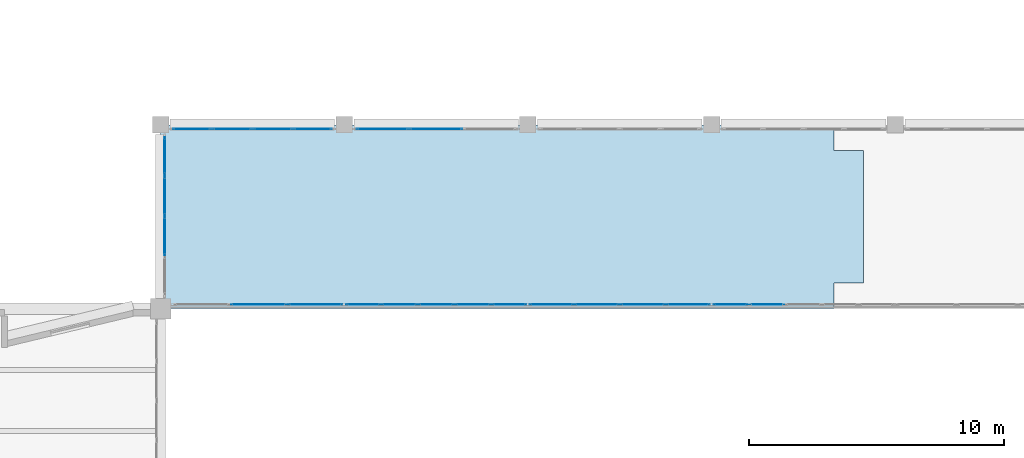
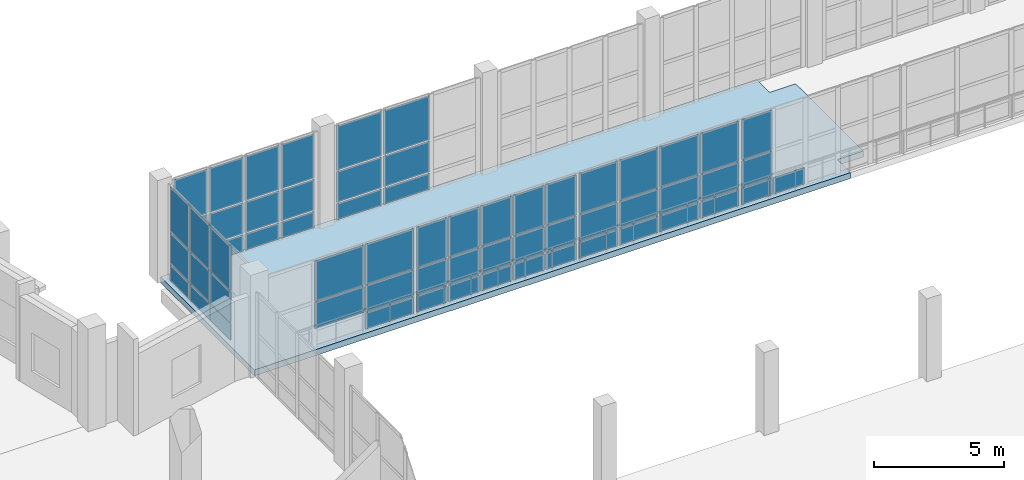
# One storey, part 78 of 127: 63 plates, 1 slab, 7 elements without a shape of their own.
"""IFC4 building model written with IfcOpenShell, lengths in metres."""

from ifc_helpers import new_model, si_unit, direction, frame, origin, origin_2d, place, context, subcontext, project, spatial, polyline, rectangle, outline, extrude, material, layer, layer_set, type_object, element, aggregate, save


model = new_model("IFC4")

# Units and contexts
model_context = context("Model", 3, precision=1e-05, world=origin(), true_north=direction((0.0, 1.0)))
body_context = subcontext(model_context, "Body", "Model", "MODEL_VIEW")
ifc_project = project(units=[si_unit("LENGTHUNIT", "METRE"), si_unit("AREAUNIT", "SQUARE_METRE"), si_unit("VOLUMEUNIT", "CUBIC_METRE"), si_unit("PLANEANGLEUNIT", "RADIAN"), si_unit("MASSUNIT", "GRAM", prefix="KILO")], contexts=[model_context])

# Site, building, storey
site_placement = place(None, origin())
site = spatial("IfcSite", under=ifc_project, at=site_placement, CompositionType="ELEMENT")
building_placement = place(site_placement, origin())
building = spatial("IfcBuilding", under=site, at=building_placement, Name="Kalmorath City Hall", CompositionType="ELEMENT")
storey_placement = place(building_placement, frame((0.0, 0.0, 5.39990234375)))
storey = spatial("IfcBuildingStorey", under=building, at=storey_placement, Name="L01", CompositionType="ELEMENT", Elevation=5.39990234375)

# Slab
ifc_material_1 = material(Name="Concrete C40/50", Category="concrete")
ifc_layer_1 = layer(ifc_material_1, 0.280029296875)
ifc_layer_set_1 = layer_set([ifc_layer_1], Name="Concrete C40/50")
slab_type = type_object("IfcSlabType", Name="Concrete composite floor slab 280", PredefinedType="FLOOR", material=ifc_layer_set_1)
slab_placement = place(storey_placement, frame((0.0, 0.0, -0.27978515625)))
element("IfcSlab", 1, at=slab_placement, inside=storey, type_object=slab_type, Name="L01 Public Hall and Citizens Service Centre Pavilion slab FS2-1", PredefinedType="FLOOR", context=body_context, shape_type="SweptSolid", body=[
    extrude(outline(polyline([(62.39990234375, 42.199951171875), (63.550048828125, 42.199951171875), (63.550048828125, 37.0), (62.39990234375, 37.0), (62.39990234375, 36.0), (36.0, 36.0), (36.0, 43.199951171875), (62.39990234375, 43.199951171875), (62.39990234375, 42.199951171875)])), origin(), (0.0, 0.0, 1.0), 0.27978515625),
])

# Curtain wall, plates
ifc_material_2 = material(Name="Anodised aluminium and laminated glass", Category="aluminium")
curtain_wall_type_1 = type_object("IfcCurtainWallType", Name="Unitised hurricane curtain wall 7200x4090 M1500", PredefinedType="NOTDEFINED", material=ifc_material_2)
curtain_wall_1_placement = place(storey_placement, origin())
curtain_wall_1 = element("IfcCurtainWall", 2, at=curtain_wall_1_placement, inside=storey, type_object=curtain_wall_type_1, Name="L01 curtain wall CW-72X41M15 #76", PredefinedType="NOTDEFINED")
ifc_material_3 = material(Name="Hurricane laminated low-E glass", Category="glass")
ifc_layer_2 = layer(ifc_material_3, 0.031982421875)
ifc_layer_set_2 = layer_set([ifc_layer_2], Name="Hurricane laminated low-E glass")
plate_type = type_object("IfcPlateType", Name="Hurricane impact double-glazed panel 32", PredefinedType="CURTAIN_PANEL", material=ifc_layer_set_2)
plate_1_placement = place(storey_placement, frame((59.760009765625, 36.159912109375, 0.065185546875), z_axis=(0.0, 0.0, 1.0), x_axis=(-1.0, 0.0, 0.0)))
plate_1 = element("IfcPlate", 3, at=plate_1_placement, type_object=plate_type, Name="CW-72X41M15 panel 4.1", PredefinedType="CURTAIN_PANEL", context=body_context, shape_type="SweptSolid", body=[
    extrude(rectangle(XDim=1.364990234375, YDim=0.031982421875, at=origin_2d()), origin(), (0.0, 0.0, 1.0), 0.75244140625),
])
plate_2_placement = place(storey_placement, frame((58.3388671875, 36.159912109375, 0.065185546875), z_axis=(0.0, 0.0, 1.0), x_axis=(-1.0, 0.0, 0.0)))
plate_2 = element("IfcPlate", 4, at=plate_2_placement, type_object=plate_type, Name="CW-72X41M15 panel 5.1", PredefinedType="CURTAIN_PANEL", context=body_context, shape_type="SweptSolid", body=[
    extrude(rectangle(XDim=1.327392578125, YDim=0.031982421875, at=origin_2d()), origin(), (0.0, 0.0, 1.0), 0.75244140625),
])
plate_3_placement = place(storey_placement, frame((58.3388671875, 36.159912109375, 0.882568359375), z_axis=(0.0, 0.0, 1.0), x_axis=(-1.0, 0.0, 0.0)))
plate_3 = element("IfcPlate", 5, at=plate_3_placement, type_object=plate_type, Name="CW-72X41M15 panel 5.2", PredefinedType="CURTAIN_PANEL", context=body_context, shape_type="SweptSolid", body=[
    extrude(rectangle(XDim=1.327392578125, YDim=0.031982421875, at=origin_2d()), origin(), (0.0, 0.0, 1.0), 1.2119140625),
])
plate_4_placement = place(storey_placement, frame((58.3388671875, 36.159912109375, 2.15966796875), z_axis=(0.0, 0.0, 1.0), x_axis=(-1.0, 0.0, 0.0)))
plate_4 = element("IfcPlate", 6, at=plate_4_placement, type_object=plate_type, Name="CW-72X41M15 panel 5.3", PredefinedType="CURTAIN_PANEL", context=body_context, shape_type="SweptSolid", body=[
    extrude(rectangle(XDim=1.327392578125, YDim=0.031982421875, at=origin_2d()), origin(), (0.0, 0.0, 1.0), 1.865478515625),
])
aggregate(curtain_wall_1, [plate_1, plate_2, plate_3, plate_4])

ifc_material_4 = material(Name="Anodised aluminium and laminated glass", Category="aluminium")
curtain_wall_type_2 = type_object("IfcCurtainWallType", Name="Unitised hurricane curtain wall 7200x4090 M1800", PredefinedType="NOTDEFINED", material=ifc_material_4)
curtain_wall_2_placement = place(storey_placement, origin())
curtain_wall_2 = element("IfcCurtainWall", 7, at=curtain_wall_2_placement, inside=storey, type_object=curtain_wall_type_2, Name="L01 curtain wall CW-72X41M18 #77", PredefinedType="NOTDEFINED")
plate_5_placement = place(storey_placement, frame((56.68115234375, 36.159912109375, 0.065185546875), z_axis=(0.0, 0.0, 1.0), x_axis=(-1.0, 0.0, 0.0)))
plate_5 = element("IfcPlate", 8, at=plate_5_placement, type_object=plate_type, Name="CW-72X41M18 panel 1.1", PredefinedType="CURTAIN_PANEL", context=body_context, shape_type="SweptSolid", body=[
    extrude(rectangle(XDim=1.6875, YDim=0.031982421875, at=origin_2d()), origin(), (0.0, 0.0, 1.0), 0.75244140625),
])
plate_6_placement = place(storey_placement, frame((56.68115234375, 36.159912109375, 0.882568359375), z_axis=(0.0, 0.0, 1.0), x_axis=(-1.0, 0.0, 0.0)))
plate_6 = element("IfcPlate", 9, at=plate_6_placement, type_object=plate_type, Name="CW-72X41M18 panel 1.2", PredefinedType="CURTAIN_PANEL", context=body_context, shape_type="SweptSolid", body=[
    extrude(rectangle(XDim=1.6875, YDim=0.031982421875, at=origin_2d()), origin(), (0.0, 0.0, 1.0), 1.2119140625),
])
plate_7_placement = place(storey_placement, frame((56.68115234375, 36.159912109375, 2.15966796875), z_axis=(0.0, 0.0, 1.0), x_axis=(-1.0, 0.0, 0.0)))
plate_7 = element("IfcPlate", 10, at=plate_7_placement, type_object=plate_type, Name="CW-72X41M18 panel 1.3", PredefinedType="CURTAIN_PANEL", context=body_context, shape_type="SweptSolid", body=[
    extrude(rectangle(XDim=1.6875, YDim=0.031982421875, at=origin_2d()), origin(), (0.0, 0.0, 1.0), 1.865478515625),
])
plate_8_placement = place(storey_placement, frame((54.89990234375, 36.159912109375, 0.065185546875), z_axis=(0.0, 0.0, 1.0), x_axis=(-1.0, 0.0, 0.0)))
plate_8 = element("IfcPlate", 11, at=plate_8_placement, type_object=plate_type, Name="CW-72X41M18 panel 2.1", PredefinedType="CURTAIN_PANEL", context=body_context, shape_type="SweptSolid", body=[
    extrude(rectangle(XDim=1.72509765625, YDim=0.031982421875, at=origin_2d()), origin(), (0.0, 0.0, 1.0), 0.75244140625),
])
plate_9_placement = place(storey_placement, frame((54.89990234375, 36.159912109375, 0.882568359375), z_axis=(0.0, 0.0, 1.0), x_axis=(-1.0, 0.0, 0.0)))
plate_9 = element("IfcPlate", 12, at=plate_9_placement, type_object=plate_type, Name="CW-72X41M18 panel 2.2", PredefinedType="CURTAIN_PANEL", context=body_context, shape_type="SweptSolid", body=[
    extrude(rectangle(XDim=1.72509765625, YDim=0.031982421875, at=origin_2d()), origin(), (0.0, 0.0, 1.0), 1.2119140625),
])
plate_10_placement = place(storey_placement, frame((54.89990234375, 36.159912109375, 2.15966796875), z_axis=(0.0, 0.0, 1.0), x_axis=(-1.0, 0.0, 0.0)))
plate_10 = element("IfcPlate", 13, at=plate_10_placement, type_object=plate_type, Name="CW-72X41M18 panel 2.3", PredefinedType="CURTAIN_PANEL", context=body_context, shape_type="SweptSolid", body=[
    extrude(rectangle(XDim=1.72509765625, YDim=0.031982421875, at=origin_2d()), origin(), (0.0, 0.0, 1.0), 1.865478515625),
])
plate_11_placement = place(storey_placement, frame((53.10009765625, 36.159912109375, 0.065185546875), z_axis=(0.0, 0.0, 1.0), x_axis=(-1.0, 0.0, 0.0)))
plate_11 = element("IfcPlate", 14, at=plate_11_placement, type_object=plate_type, Name="CW-72X41M18 panel 3.1", PredefinedType="CURTAIN_PANEL", context=body_context, shape_type="SweptSolid", body=[
    extrude(rectangle(XDim=1.72509765625, YDim=0.031982421875, at=origin_2d()), origin(), (0.0, 0.0, 1.0), 0.75244140625),
])
plate_12_placement = place(storey_placement, frame((53.10009765625, 36.159912109375, 0.882568359375), z_axis=(0.0, 0.0, 1.0), x_axis=(-1.0, 0.0, 0.0)))
plate_12 = element("IfcPlate", 15, at=plate_12_placement, type_object=plate_type, Name="CW-72X41M18 panel 3.2", PredefinedType="CURTAIN_PANEL", context=body_context, shape_type="SweptSolid", body=[
    extrude(rectangle(XDim=1.72509765625, YDim=0.031982421875, at=origin_2d()), origin(), (0.0, 0.0, 1.0), 1.2119140625),
])
plate_13_placement = place(storey_placement, frame((53.10009765625, 36.159912109375, 2.15966796875), z_axis=(0.0, 0.0, 1.0), x_axis=(-1.0, 0.0, 0.0)))
plate_13 = element("IfcPlate", 16, at=plate_13_placement, type_object=plate_type, Name="CW-72X41M18 panel 3.3", PredefinedType="CURTAIN_PANEL", context=body_context, shape_type="SweptSolid", body=[
    extrude(rectangle(XDim=1.72509765625, YDim=0.031982421875, at=origin_2d()), origin(), (0.0, 0.0, 1.0), 1.865478515625),
])
plate_14_placement = place(storey_placement, frame((51.31884765625, 36.159912109375, 0.065185546875), z_axis=(0.0, 0.0, 1.0), x_axis=(-1.0, 0.0, 0.0)))
plate_14 = element("IfcPlate", 17, at=plate_14_placement, type_object=plate_type, Name="CW-72X41M18 panel 4.1", PredefinedType="CURTAIN_PANEL", context=body_context, shape_type="SweptSolid", body=[
    extrude(rectangle(XDim=1.6875, YDim=0.031982421875, at=origin_2d()), origin(), (0.0, 0.0, 1.0), 0.75244140625),
])
plate_15_placement = place(storey_placement, frame((51.31884765625, 36.159912109375, 0.882568359375), z_axis=(0.0, 0.0, 1.0), x_axis=(-1.0, 0.0, 0.0)))
plate_15 = element("IfcPlate", 18, at=plate_15_placement, type_object=plate_type, Name="CW-72X41M18 panel 4.2", PredefinedType="CURTAIN_PANEL", context=body_context, shape_type="SweptSolid", body=[
    extrude(rectangle(XDim=1.6875, YDim=0.031982421875, at=origin_2d()), origin(), (0.0, 0.0, 1.0), 1.2119140625),
])
plate_16_placement = place(storey_placement, frame((51.31884765625, 36.159912109375, 2.15966796875), z_axis=(0.0, 0.0, 1.0), x_axis=(-1.0, 0.0, 0.0)))
plate_16 = element("IfcPlate", 19, at=plate_16_placement, type_object=plate_type, Name="CW-72X41M18 panel 4.3", PredefinedType="CURTAIN_PANEL", context=body_context, shape_type="SweptSolid", body=[
    extrude(rectangle(XDim=1.6875, YDim=0.031982421875, at=origin_2d()), origin(), (0.0, 0.0, 1.0), 1.865478515625),
])
aggregate(curtain_wall_2, [plate_5, plate_6, plate_7, plate_8, plate_9, plate_10, plate_11, plate_12, plate_13, plate_14, plate_15, plate_16])

curtain_wall_3_placement = place(storey_placement, origin())
curtain_wall_3 = element("IfcCurtainWall", 20, at=curtain_wall_3_placement, inside=storey, type_object=curtain_wall_type_1, Name="L01 curtain wall CW-72X41M15 #78", PredefinedType="NOTDEFINED")
plate_17_placement = place(storey_placement, frame((49.6611328125, 36.159912109375, 0.065185546875), z_axis=(0.0, 0.0, 1.0), x_axis=(-1.0, 0.0, 0.0)))
plate_17 = element("IfcPlate", 21, at=plate_17_placement, type_object=plate_type, Name="CW-72X41M15 panel 1.1", PredefinedType="CURTAIN_PANEL", context=body_context, shape_type="SweptSolid", body=[
    extrude(rectangle(XDim=1.327392578125, YDim=0.031982421875, at=origin_2d()), origin(), (0.0, 0.0, 1.0), 0.75244140625),
])
plate_18_placement = place(storey_placement, frame((49.6611328125, 36.159912109375, 0.882568359375), z_axis=(0.0, 0.0, 1.0), x_axis=(-1.0, 0.0, 0.0)))
plate_18 = element("IfcPlate", 22, at=plate_18_placement, type_object=plate_type, Name="CW-72X41M15 panel 1.2", PredefinedType="CURTAIN_PANEL", context=body_context, shape_type="SweptSolid", body=[
    extrude(rectangle(XDim=1.327392578125, YDim=0.031982421875, at=origin_2d()), origin(), (0.0, 0.0, 1.0), 1.2119140625),
])
plate_19_placement = place(storey_placement, frame((49.6611328125, 36.159912109375, 2.15966796875), z_axis=(0.0, 0.0, 1.0), x_axis=(-1.0, 0.0, 0.0)))
plate_19 = element("IfcPlate", 23, at=plate_19_placement, type_object=plate_type, Name="CW-72X41M15 panel 1.3", PredefinedType="CURTAIN_PANEL", context=body_context, shape_type="SweptSolid", body=[
    extrude(rectangle(XDim=1.327392578125, YDim=0.031982421875, at=origin_2d()), origin(), (0.0, 0.0, 1.0), 1.865478515625),
])
plate_20_placement = place(storey_placement, frame((48.239990234375, 36.159912109375, 0.065185546875), z_axis=(0.0, 0.0, 1.0), x_axis=(-1.0, 0.0, 0.0)))
plate_20 = element("IfcPlate", 24, at=plate_20_placement, type_object=plate_type, Name="CW-72X41M15 panel 2.1", PredefinedType="CURTAIN_PANEL", context=body_context, shape_type="SweptSolid", body=[
    extrude(rectangle(XDim=1.364990234375, YDim=0.031982421875, at=origin_2d()), origin(), (0.0, 0.0, 1.0), 0.75244140625),
])
plate_21_placement = place(storey_placement, frame((48.239990234375, 36.159912109375, 0.882568359375), z_axis=(0.0, 0.0, 1.0), x_axis=(-1.0, 0.0, 0.0)))
plate_21 = element("IfcPlate", 25, at=plate_21_placement, type_object=plate_type, Name="CW-72X41M15 panel 2.2", PredefinedType="CURTAIN_PANEL", context=body_context, shape_type="SweptSolid", body=[
    extrude(rectangle(XDim=1.364990234375, YDim=0.031982421875, at=origin_2d()), origin(), (0.0, 0.0, 1.0), 1.2119140625),
])
plate_22_placement = place(storey_placement, frame((48.239990234375, 36.159912109375, 2.15966796875), z_axis=(0.0, 0.0, 1.0), x_axis=(-1.0, 0.0, 0.0)))
plate_22 = element("IfcPlate", 26, at=plate_22_placement, type_object=plate_type, Name="CW-72X41M15 panel 2.3", PredefinedType="CURTAIN_PANEL", context=body_context, shape_type="SweptSolid", body=[
    extrude(rectangle(XDim=1.364990234375, YDim=0.031982421875, at=origin_2d()), origin(), (0.0, 0.0, 1.0), 1.865478515625),
])
plate_23_placement = place(storey_placement, frame((46.800048828125, 36.159912109375, 0.065185546875), z_axis=(0.0, 0.0, 1.0), x_axis=(-1.0, 0.0, 0.0)))
plate_23 = element("IfcPlate", 27, at=plate_23_placement, type_object=plate_type, Name="CW-72X41M15 panel 3.1", PredefinedType="CURTAIN_PANEL", context=body_context, shape_type="SweptSolid", body=[
    extrude(rectangle(XDim=1.364990234375, YDim=0.031982421875, at=origin_2d()), origin(), (0.0, 0.0, 1.0), 0.75244140625),
])
plate_24_placement = place(storey_placement, frame((46.800048828125, 36.159912109375, 0.882568359375), z_axis=(0.0, 0.0, 1.0), x_axis=(-1.0, 0.0, 0.0)))
plate_24 = element("IfcPlate", 28, at=plate_24_placement, type_object=plate_type, Name="CW-72X41M15 panel 3.2", PredefinedType="CURTAIN_PANEL", context=body_context, shape_type="SweptSolid", body=[
    extrude(rectangle(XDim=1.364990234375, YDim=0.031982421875, at=origin_2d()), origin(), (0.0, 0.0, 1.0), 1.2119140625),
])
plate_25_placement = place(storey_placement, frame((46.800048828125, 36.159912109375, 2.15966796875), z_axis=(0.0, 0.0, 1.0), x_axis=(-1.0, 0.0, 0.0)))
plate_25 = element("IfcPlate", 29, at=plate_25_placement, type_object=plate_type, Name="CW-72X41M15 panel 3.3", PredefinedType="CURTAIN_PANEL", context=body_context, shape_type="SweptSolid", body=[
    extrude(rectangle(XDim=1.364990234375, YDim=0.031982421875, at=origin_2d()), origin(), (0.0, 0.0, 1.0), 1.865478515625),
])
plate_26_placement = place(storey_placement, frame((45.360107421875, 36.159912109375, 0.065185546875), z_axis=(0.0, 0.0, 1.0), x_axis=(-1.0, 0.0, 0.0)))
plate_26 = element("IfcPlate", 30, at=plate_26_placement, type_object=plate_type, Name="CW-72X41M15 panel 4.1", PredefinedType="CURTAIN_PANEL", context=body_context, shape_type="SweptSolid", body=[
    extrude(rectangle(XDim=1.364990234375, YDim=0.031982421875, at=origin_2d()), origin(), (0.0, 0.0, 1.0), 0.75244140625),
])
plate_27_placement = place(storey_placement, frame((45.360107421875, 36.159912109375, 0.882568359375), z_axis=(0.0, 0.0, 1.0), x_axis=(-1.0, 0.0, 0.0)))
plate_27 = element("IfcPlate", 31, at=plate_27_placement, type_object=plate_type, Name="CW-72X41M15 panel 4.2", PredefinedType="CURTAIN_PANEL", context=body_context, shape_type="SweptSolid", body=[
    extrude(rectangle(XDim=1.364990234375, YDim=0.031982421875, at=origin_2d()), origin(), (0.0, 0.0, 1.0), 1.2119140625),
])
plate_28_placement = place(storey_placement, frame((45.360107421875, 36.159912109375, 2.15966796875), z_axis=(0.0, 0.0, 1.0), x_axis=(-1.0, 0.0, 0.0)))
plate_28 = element("IfcPlate", 32, at=plate_28_placement, type_object=plate_type, Name="CW-72X41M15 panel 4.3", PredefinedType="CURTAIN_PANEL", context=body_context, shape_type="SweptSolid", body=[
    extrude(rectangle(XDim=1.364990234375, YDim=0.031982421875, at=origin_2d()), origin(), (0.0, 0.0, 1.0), 1.865478515625),
])
plate_29_placement = place(storey_placement, frame((43.938720703125, 36.159912109375, 0.065185546875), z_axis=(0.0, 0.0, 1.0), x_axis=(-1.0, 0.0, 0.0)))
plate_29 = element("IfcPlate", 33, at=plate_29_placement, type_object=plate_type, Name="CW-72X41M15 panel 5.1", PredefinedType="CURTAIN_PANEL", context=body_context, shape_type="SweptSolid", body=[
    extrude(rectangle(XDim=1.327392578125, YDim=0.031982421875, at=origin_2d()), origin(), (0.0, 0.0, 1.0), 0.75244140625),
])
plate_30_placement = place(storey_placement, frame((43.938720703125, 36.159912109375, 0.882568359375), z_axis=(0.0, 0.0, 1.0), x_axis=(-1.0, 0.0, 0.0)))
plate_30 = element("IfcPlate", 34, at=plate_30_placement, type_object=plate_type, Name="CW-72X41M15 panel 5.2", PredefinedType="CURTAIN_PANEL", context=body_context, shape_type="SweptSolid", body=[
    extrude(rectangle(XDim=1.327392578125, YDim=0.031982421875, at=origin_2d()), origin(), (0.0, 0.0, 1.0), 1.2119140625),
])
plate_31_placement = place(storey_placement, frame((43.938720703125, 36.159912109375, 2.15966796875), z_axis=(0.0, 0.0, 1.0), x_axis=(-1.0, 0.0, 0.0)))
plate_31 = element("IfcPlate", 35, at=plate_31_placement, type_object=plate_type, Name="CW-72X41M15 panel 5.3", PredefinedType="CURTAIN_PANEL", context=body_context, shape_type="SweptSolid", body=[
    extrude(rectangle(XDim=1.327392578125, YDim=0.031982421875, at=origin_2d()), origin(), (0.0, 0.0, 1.0), 1.865478515625),
])
aggregate(curtain_wall_3, [plate_17, plate_18, plate_19, plate_20, plate_21, plate_22, plate_23, plate_24, plate_25, plate_26, plate_27, plate_28, plate_29, plate_30, plate_31])

ifc_material_5 = material(Name="Anodised aluminium and laminated glass", Category="aluminium")
curtain_wall_type_3 = type_object("IfcCurtainWallType", Name="Unitised hurricane curtain wall 6710x4090 M2100", PredefinedType="NOTDEFINED", material=ifc_material_5)
curtain_wall_4_placement = place(storey_placement, origin())
curtain_wall_4 = element("IfcCurtainWall", 36, at=curtain_wall_4_placement, inside=storey, type_object=curtain_wall_type_3, Name="L01 curtain wall CW-67X41M21 #79", PredefinedType="NOTDEFINED")
plate_32_placement = place(storey_placement, frame((42.06298828125, 36.159912109375, 0.065185546875), z_axis=(0.0, 0.0, 1.0), x_axis=(-1.0, 0.0, 0.0)))
plate_32 = element("IfcPlate", 37, at=plate_32_placement, type_object=plate_type, Name="CW-67X41M21 panel 1.1", PredefinedType="CURTAIN_PANEL", context=body_context, shape_type="SweptSolid", body=[
    extrude(rectangle(XDim=2.124267578125, YDim=0.031982421875, at=origin_2d()), origin(), (0.0, 0.0, 1.0), 0.75244140625),
])
plate_33_placement = place(storey_placement, frame((42.06298828125, 36.159912109375, 0.882568359375), z_axis=(0.0, 0.0, 1.0), x_axis=(-1.0, 0.0, 0.0)))
plate_33 = element("IfcPlate", 38, at=plate_33_placement, type_object=plate_type, Name="CW-67X41M21 panel 1.2", PredefinedType="CURTAIN_PANEL", context=body_context, shape_type="SweptSolid", body=[
    extrude(rectangle(XDim=2.124267578125, YDim=0.031982421875, at=origin_2d()), origin(), (0.0, 0.0, 1.0), 1.2119140625),
])
plate_34_placement = place(storey_placement, frame((42.06298828125, 36.159912109375, 2.15966796875), z_axis=(0.0, 0.0, 1.0), x_axis=(-1.0, 0.0, 0.0)))
plate_34 = element("IfcPlate", 39, at=plate_34_placement, type_object=plate_type, Name="CW-67X41M21 panel 1.3", PredefinedType="CURTAIN_PANEL", context=body_context, shape_type="SweptSolid", body=[
    extrude(rectangle(XDim=2.124267578125, YDim=0.031982421875, at=origin_2d()), origin(), (0.0, 0.0, 1.0), 1.865478515625),
])
plate_35_placement = place(storey_placement, frame((39.844970703125, 36.159912109375, 0.882568359375), z_axis=(0.0, 0.0, 1.0), x_axis=(-1.0, 0.0, 0.0)))
plate_35 = element("IfcPlate", 40, at=plate_35_placement, type_object=plate_type, Name="CW-67X41M21 panel 2.2", PredefinedType="CURTAIN_PANEL", context=body_context, shape_type="SweptSolid", body=[
    extrude(rectangle(XDim=2.16162109375, YDim=0.031982421875, at=origin_2d()), origin(), (0.0, 0.0, 1.0), 1.2119140625),
])
plate_36_placement = place(storey_placement, frame((39.844970703125, 36.159912109375, 2.15966796875), z_axis=(0.0, 0.0, 1.0), x_axis=(-1.0, 0.0, 0.0)))
plate_36 = element("IfcPlate", 41, at=plate_36_placement, type_object=plate_type, Name="CW-67X41M21 panel 2.3", PredefinedType="CURTAIN_PANEL", context=body_context, shape_type="SweptSolid", body=[
    extrude(rectangle(XDim=2.16162109375, YDim=0.031982421875, at=origin_2d()), origin(), (0.0, 0.0, 1.0), 1.865478515625),
])
aggregate(curtain_wall_4, [plate_32, plate_33, plate_34, plate_35, plate_36])

ifc_material_6 = material(Name="Anodised aluminium and laminated glass", Category="aluminium")
curtain_wall_type_4 = type_object("IfcCurtainWallType", Name="Unitised hurricane curtain wall 6370x4520 M1500", PredefinedType="NOTDEFINED", material=ifc_material_6)
curtain_wall_5_placement = place(storey_placement, origin())
curtain_wall_5 = element("IfcCurtainWall", 42, at=curtain_wall_5_placement, inside=storey, type_object=curtain_wall_type_4, Name="L01 curtain wall CW-64X45M15 #82", PredefinedType="NOTDEFINED")
plate_37_placement = place(storey_placement, frame((37.22998046875, 43.0400390625, 0.065185546875), z_axis=(0.0, 0.0, 1.0), x_axis=(1.0, 0.0, 0.0)))
plate_37 = element("IfcPlate", 43, at=plate_37_placement, type_object=plate_type, Name="CW-64X45M15 panel 1.1", PredefinedType="CURTAIN_PANEL", context=body_context, shape_type="SweptSolid", body=[
    extrude(rectangle(XDim=1.47998046875, YDim=0.031982421875, at=origin_2d()), origin(), (0.0, 0.0, 1.0), 0.75244140625),
])
plate_38_placement = place(storey_placement, frame((37.22998046875, 43.0400390625, 0.882568359375), z_axis=(0.0, 0.0, 1.0), x_axis=(1.0, 0.0, 0.0)))
plate_38 = element("IfcPlate", 44, at=plate_38_placement, type_object=plate_type, Name="CW-64X45M15 panel 1.2", PredefinedType="CURTAIN_PANEL", context=body_context, shape_type="SweptSolid", body=[
    extrude(rectangle(XDim=1.47998046875, YDim=0.031982421875, at=origin_2d()), origin(), (0.0, 0.0, 1.0), 1.43505859375),
])
plate_39_placement = place(storey_placement, frame((37.22998046875, 43.0400390625, 2.3828125), z_axis=(0.0, 0.0, 1.0), x_axis=(1.0, 0.0, 0.0)))
plate_39 = element("IfcPlate", 45, at=plate_39_placement, type_object=plate_type, Name="CW-64X45M15 panel 1.3", PredefinedType="CURTAIN_PANEL", context=body_context, shape_type="SweptSolid", body=[
    extrude(rectangle(XDim=1.47998046875, YDim=0.031982421875, at=origin_2d()), origin(), (0.0, 0.0, 1.0), 2.072509765625),
])
plate_40_placement = place(storey_placement, frame((38.8037109375, 43.0400390625, 0.065185546875), z_axis=(0.0, 0.0, 1.0), x_axis=(1.0, 0.0, 0.0)))
plate_40 = element("IfcPlate", 46, at=plate_40_placement, type_object=plate_type, Name="CW-64X45M15 panel 2.1", PredefinedType="CURTAIN_PANEL", context=body_context, shape_type="SweptSolid", body=[
    extrude(rectangle(XDim=1.517578125, YDim=0.031982421875, at=origin_2d()), origin(), (0.0, 0.0, 1.0), 0.75244140625),
])
plate_41_placement = place(storey_placement, frame((38.8037109375, 43.0400390625, 0.882568359375), z_axis=(0.0, 0.0, 1.0), x_axis=(1.0, 0.0, 0.0)))
plate_41 = element("IfcPlate", 47, at=plate_41_placement, type_object=plate_type, Name="CW-64X45M15 panel 2.2", PredefinedType="CURTAIN_PANEL", context=body_context, shape_type="SweptSolid", body=[
    extrude(rectangle(XDim=1.517578125, YDim=0.031982421875, at=origin_2d()), origin(), (0.0, 0.0, 1.0), 1.43505859375),
])
plate_42_placement = place(storey_placement, frame((38.8037109375, 43.0400390625, 2.3828125), z_axis=(0.0, 0.0, 1.0), x_axis=(1.0, 0.0, 0.0)))
plate_42 = element("IfcPlate", 48, at=plate_42_placement, type_object=plate_type, Name="CW-64X45M15 panel 2.3", PredefinedType="CURTAIN_PANEL", context=body_context, shape_type="SweptSolid", body=[
    extrude(rectangle(XDim=1.517578125, YDim=0.031982421875, at=origin_2d()), origin(), (0.0, 0.0, 1.0), 2.072509765625),
])
plate_43_placement = place(storey_placement, frame((40.396240234375, 43.0400390625, 0.065185546875), z_axis=(0.0, 0.0, 1.0), x_axis=(1.0, 0.0, 0.0)))
plate_43 = element("IfcPlate", 49, at=plate_43_placement, type_object=plate_type, Name="CW-64X45M15 panel 3.1", PredefinedType="CURTAIN_PANEL", context=body_context, shape_type="SweptSolid", body=[
    extrude(rectangle(XDim=1.517578125, YDim=0.031982421875, at=origin_2d()), origin(), (0.0, 0.0, 1.0), 0.75244140625),
])
plate_44_placement = place(storey_placement, frame((40.396240234375, 43.0400390625, 0.882568359375), z_axis=(0.0, 0.0, 1.0), x_axis=(1.0, 0.0, 0.0)))
plate_44 = element("IfcPlate", 50, at=plate_44_placement, type_object=plate_type, Name="CW-64X45M15 panel 3.2", PredefinedType="CURTAIN_PANEL", context=body_context, shape_type="SweptSolid", body=[
    extrude(rectangle(XDim=1.517578125, YDim=0.031982421875, at=origin_2d()), origin(), (0.0, 0.0, 1.0), 1.43505859375),
])
plate_45_placement = place(storey_placement, frame((40.396240234375, 43.0400390625, 2.3828125), z_axis=(0.0, 0.0, 1.0), x_axis=(1.0, 0.0, 0.0)))
plate_45 = element("IfcPlate", 51, at=plate_45_placement, type_object=plate_type, Name="CW-64X45M15 panel 3.3", PredefinedType="CURTAIN_PANEL", context=body_context, shape_type="SweptSolid", body=[
    extrude(rectangle(XDim=1.517578125, YDim=0.031982421875, at=origin_2d()), origin(), (0.0, 0.0, 1.0), 2.072509765625),
])
plate_46_placement = place(storey_placement, frame((41.969970703125, 43.0400390625, 0.065185546875), z_axis=(0.0, 0.0, 1.0), x_axis=(1.0, 0.0, 0.0)))
plate_46 = element("IfcPlate", 52, at=plate_46_placement, type_object=plate_type, Name="CW-64X45M15 panel 4.1", PredefinedType="CURTAIN_PANEL", context=body_context, shape_type="SweptSolid", body=[
    extrude(rectangle(XDim=1.47998046875, YDim=0.031982421875, at=origin_2d()), origin(), (0.0, 0.0, 1.0), 0.75244140625),
])
plate_47_placement = place(storey_placement, frame((41.969970703125, 43.0400390625, 0.882568359375), z_axis=(0.0, 0.0, 1.0), x_axis=(1.0, 0.0, 0.0)))
plate_47 = element("IfcPlate", 53, at=plate_47_placement, type_object=plate_type, Name="CW-64X45M15 panel 4.2", PredefinedType="CURTAIN_PANEL", context=body_context, shape_type="SweptSolid", body=[
    extrude(rectangle(XDim=1.47998046875, YDim=0.031982421875, at=origin_2d()), origin(), (0.0, 0.0, 1.0), 1.43505859375),
])
plate_48_placement = place(storey_placement, frame((41.969970703125, 43.0400390625, 2.3828125), z_axis=(0.0, 0.0, 1.0), x_axis=(1.0, 0.0, 0.0)))
plate_48 = element("IfcPlate", 54, at=plate_48_placement, type_object=plate_type, Name="CW-64X45M15 panel 4.3", PredefinedType="CURTAIN_PANEL", context=body_context, shape_type="SweptSolid", body=[
    extrude(rectangle(XDim=1.47998046875, YDim=0.031982421875, at=origin_2d()), origin(), (0.0, 0.0, 1.0), 2.072509765625),
])
aggregate(curtain_wall_5, [plate_37, plate_38, plate_39, plate_40, plate_41, plate_42, plate_43, plate_44, plate_45, plate_46, plate_47, plate_48])

ifc_material_7 = material(Name="Anodised aluminium and laminated glass", Category="aluminium")
curtain_wall_type_5 = type_object("IfcCurtainWallType", Name="Unitised hurricane curtain wall 6370x4520 M2100", PredefinedType="NOTDEFINED", material=ifc_material_7)
curtain_wall_6_placement = place(storey_placement, origin())
curtain_wall_6 = element("IfcCurtainWall", 55, at=curtain_wall_6_placement, inside=storey, type_object=curtain_wall_type_5, Name="L01 curtain wall CW-64X45M21 #83", PredefinedType="NOTDEFINED")
plate_49_placement = place(storey_placement, frame((44.6953125, 43.0400390625, 0.065185546875), z_axis=(0.0, 0.0, 1.0), x_axis=(1.0, 0.0, 0.0)))
plate_49 = element("IfcPlate", 56, at=plate_49_placement, type_object=plate_type, Name="CW-64X45M21 panel 1.1", PredefinedType="CURTAIN_PANEL", context=body_context, shape_type="SweptSolid", body=[
    extrude(rectangle(XDim=2.0107421875, YDim=0.031982421875, at=origin_2d()), origin(), (0.0, 0.0, 1.0), 0.75244140625),
])
plate_50_placement = place(storey_placement, frame((44.6953125, 43.0400390625, 0.882568359375), z_axis=(0.0, 0.0, 1.0), x_axis=(1.0, 0.0, 0.0)))
plate_50 = element("IfcPlate", 57, at=plate_50_placement, type_object=plate_type, Name="CW-64X45M21 panel 1.2", PredefinedType="CURTAIN_PANEL", context=body_context, shape_type="SweptSolid", body=[
    extrude(rectangle(XDim=2.0107421875, YDim=0.031982421875, at=origin_2d()), origin(), (0.0, 0.0, 1.0), 1.43505859375),
])
plate_51_placement = place(storey_placement, frame((44.6953125, 43.0400390625, 2.3828125), z_axis=(0.0, 0.0, 1.0), x_axis=(1.0, 0.0, 0.0)))
plate_51 = element("IfcPlate", 58, at=plate_51_placement, type_object=plate_type, Name="CW-64X45M21 panel 1.3", PredefinedType="CURTAIN_PANEL", context=body_context, shape_type="SweptSolid", body=[
    extrude(rectangle(XDim=2.0107421875, YDim=0.031982421875, at=origin_2d()), origin(), (0.0, 0.0, 1.0), 2.072509765625),
])
plate_52_placement = place(storey_placement, frame((46.800048828125, 43.0400390625, 0.065185546875), z_axis=(0.0, 0.0, 1.0), x_axis=(1.0, 0.0, 0.0)))
plate_52 = element("IfcPlate", 59, at=plate_52_placement, type_object=plate_type, Name="CW-64X45M21 panel 2.1", PredefinedType="CURTAIN_PANEL", context=body_context, shape_type="SweptSolid", body=[
    extrude(rectangle(XDim=2.04833984375, YDim=0.031982421875, at=origin_2d()), origin(), (0.0, 0.0, 1.0), 0.75244140625),
])
plate_53_placement = place(storey_placement, frame((46.800048828125, 43.0400390625, 0.882568359375), z_axis=(0.0, 0.0, 1.0), x_axis=(1.0, 0.0, 0.0)))
plate_53 = element("IfcPlate", 60, at=plate_53_placement, type_object=plate_type, Name="CW-64X45M21 panel 2.2", PredefinedType="CURTAIN_PANEL", context=body_context, shape_type="SweptSolid", body=[
    extrude(rectangle(XDim=2.04833984375, YDim=0.031982421875, at=origin_2d()), origin(), (0.0, 0.0, 1.0), 1.43505859375),
])
plate_54_placement = place(storey_placement, frame((46.800048828125, 43.0400390625, 2.3828125), z_axis=(0.0, 0.0, 1.0), x_axis=(1.0, 0.0, 0.0)))
plate_54 = element("IfcPlate", 61, at=plate_54_placement, type_object=plate_type, Name="CW-64X45M21 panel 2.3", PredefinedType="CURTAIN_PANEL", context=body_context, shape_type="SweptSolid", body=[
    extrude(rectangle(XDim=2.04833984375, YDim=0.031982421875, at=origin_2d()), origin(), (0.0, 0.0, 1.0), 2.072509765625),
])
aggregate(curtain_wall_6, [plate_49, plate_50, plate_51, plate_52, plate_53, plate_54])

ifc_material_8 = material(Name="Anodised aluminium and laminated glass", Category="aluminium")
curtain_wall_type_6 = type_object("IfcCurtainWallType", Name="Unitised hurricane curtain wall 6295x4520 M1500", PredefinedType="NOTDEFINED", material=ifc_material_8)
curtain_wall_7_placement = place(storey_placement, origin())
curtain_wall_7 = element("IfcCurtainWall", 62, at=curtain_wall_7_placement, inside=storey, type_object=curtain_wall_type_6, Name="L01 curtain wall CW-63X45M15 #112", PredefinedType="NOTDEFINED")
plate_55_placement = place(storey_placement, frame((36.159912109375, 38.8505859375, 0.065185546875), z_axis=(0.0, 0.0, 1.0), x_axis=(0.0, 1.0, 0.0)))
plate_55 = element("IfcPlate", 63, at=plate_55_placement, type_object=plate_type, Name="CW-63X45M15 panel 2.1", PredefinedType="CURTAIN_PANEL", context=body_context, shape_type="SweptSolid", body=[
    extrude(rectangle(XDim=1.498779296875, YDim=0.031982421875, at=origin_2d()), origin(), (0.0, 0.0, 1.0), 0.75244140625),
])
plate_56_placement = place(storey_placement, frame((36.159912109375, 38.8505859375, 0.882568359375), z_axis=(0.0, 0.0, 1.0), x_axis=(0.0, 1.0, 0.0)))
plate_56 = element("IfcPlate", 64, at=plate_56_placement, type_object=plate_type, Name="CW-63X45M15 panel 2.2", PredefinedType="CURTAIN_PANEL", context=body_context, shape_type="SweptSolid", body=[
    extrude(rectangle(XDim=1.498779296875, YDim=0.031982421875, at=origin_2d()), origin(), (0.0, 0.0, 1.0), 1.43505859375),
])
plate_57_placement = place(storey_placement, frame((36.159912109375, 38.8505859375, 2.3828125), z_axis=(0.0, 0.0, 1.0), x_axis=(0.0, 1.0, 0.0)))
plate_57 = element("IfcPlate", 65, at=plate_57_placement, type_object=plate_type, Name="CW-63X45M15 panel 2.3", PredefinedType="CURTAIN_PANEL", context=body_context, shape_type="SweptSolid", body=[
    extrude(rectangle(XDim=1.498779296875, YDim=0.031982421875, at=origin_2d()), origin(), (0.0, 0.0, 1.0), 2.072509765625),
])
plate_58_placement = place(storey_placement, frame((36.159912109375, 40.42431640625, 0.065185546875), z_axis=(0.0, 0.0, 1.0), x_axis=(0.0, 1.0, 0.0)))
plate_58 = element("IfcPlate", 66, at=plate_58_placement, type_object=plate_type, Name="CW-63X45M15 panel 3.1", PredefinedType="CURTAIN_PANEL", context=body_context, shape_type="SweptSolid", body=[
    extrude(rectangle(XDim=1.498779296875, YDim=0.031982421875, at=origin_2d()), origin(), (0.0, 0.0, 1.0), 0.75244140625),
])
plate_59_placement = place(storey_placement, frame((36.159912109375, 40.42431640625, 0.882568359375), z_axis=(0.0, 0.0, 1.0), x_axis=(0.0, 1.0, 0.0)))
plate_59 = element("IfcPlate", 67, at=plate_59_placement, type_object=plate_type, Name="CW-63X45M15 panel 3.2", PredefinedType="CURTAIN_PANEL", context=body_context, shape_type="SweptSolid", body=[
    extrude(rectangle(XDim=1.498779296875, YDim=0.031982421875, at=origin_2d()), origin(), (0.0, 0.0, 1.0), 1.43505859375),
])
plate_60_placement = place(storey_placement, frame((36.159912109375, 40.42431640625, 2.3828125), z_axis=(0.0, 0.0, 1.0), x_axis=(0.0, 1.0, 0.0)))
plate_60 = element("IfcPlate", 68, at=plate_60_placement, type_object=plate_type, Name="CW-63X45M15 panel 3.3", PredefinedType="CURTAIN_PANEL", context=body_context, shape_type="SweptSolid", body=[
    extrude(rectangle(XDim=1.498779296875, YDim=0.031982421875, at=origin_2d()), origin(), (0.0, 0.0, 1.0), 2.072509765625),
])
plate_61_placement = place(storey_placement, frame((36.159912109375, 41.9794921875, 0.065185546875), z_axis=(0.0, 0.0, 1.0), x_axis=(0.0, 1.0, 0.0)))
plate_61 = element("IfcPlate", 69, at=plate_61_placement, type_object=plate_type, Name="CW-63X45M15 panel 4.1", PredefinedType="CURTAIN_PANEL", context=body_context, shape_type="SweptSolid", body=[
    extrude(rectangle(XDim=1.461181640625, YDim=0.031982421875, at=origin_2d()), origin(), (0.0, 0.0, 1.0), 0.75244140625),
])
plate_62_placement = place(storey_placement, frame((36.159912109375, 41.9794921875, 0.882568359375), z_axis=(0.0, 0.0, 1.0), x_axis=(0.0, 1.0, 0.0)))
plate_62 = element("IfcPlate", 70, at=plate_62_placement, type_object=plate_type, Name="CW-63X45M15 panel 4.2", PredefinedType="CURTAIN_PANEL", context=body_context, shape_type="SweptSolid", body=[
    extrude(rectangle(XDim=1.461181640625, YDim=0.031982421875, at=origin_2d()), origin(), (0.0, 0.0, 1.0), 1.43505859375),
])
plate_63_placement = place(storey_placement, frame((36.159912109375, 41.9794921875, 2.3828125), z_axis=(0.0, 0.0, 1.0), x_axis=(0.0, 1.0, 0.0)))
plate_63 = element("IfcPlate", 71, at=plate_63_placement, type_object=plate_type, Name="CW-63X45M15 panel 4.3", PredefinedType="CURTAIN_PANEL", context=body_context, shape_type="SweptSolid", body=[
    extrude(rectangle(XDim=1.461181640625, YDim=0.031982421875, at=origin_2d()), origin(), (0.0, 0.0, 1.0), 2.072509765625),
])
aggregate(curtain_wall_7, [plate_55, plate_56, plate_57, plate_58, plate_59, plate_60, plate_61, plate_62, plate_63])

save(model, "model.ifc")
